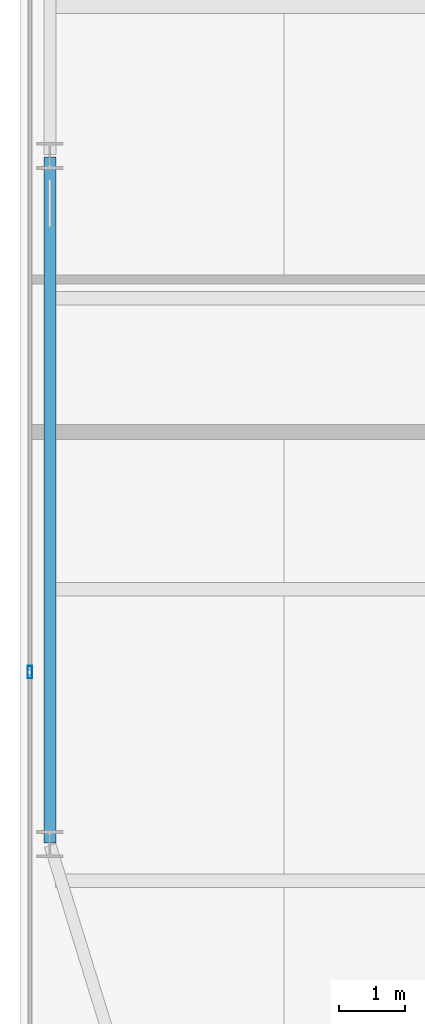
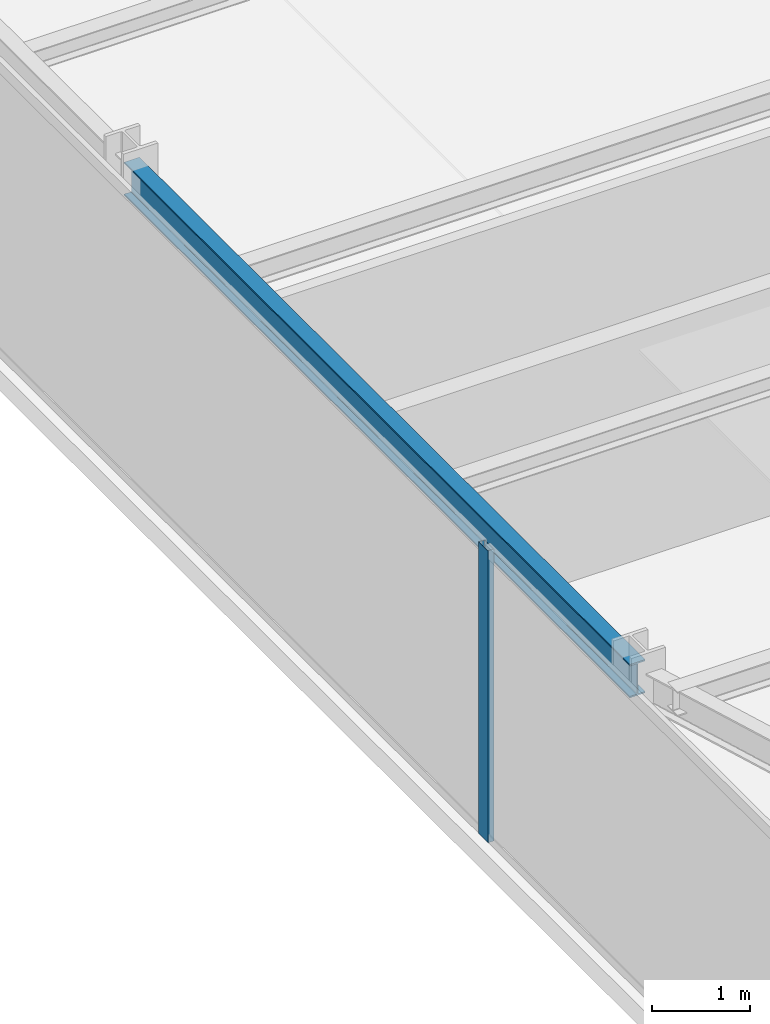
# One storey, part 8 of 31: 1 beam, 1 member, 1 element without a shape of its own.
"""IFC4 building model written with IfcOpenShell, lengths in metres."""

from ifc_helpers import new_model, si_unit, direction, frame, origin, origin_2d, place, context, subcontext, project, spatial, hollow_rectangle, i_section, extrude, source, transform, mapped, material, layer, layer_set, material_profile, profile_set, type_object, type_shapes, element, aggregate, save


model = new_model("IFC4")

# Units and contexts
model_context = context("Model", 3, precision=1e-05, world=origin(), true_north=direction((0.0, 1.0)))
body_context = subcontext(model_context, "Body", "Model", "MODEL_VIEW")
ifc_project = project(units=[si_unit("LENGTHUNIT", "METRE"), si_unit("AREAUNIT", "SQUARE_METRE"), si_unit("VOLUMEUNIT", "CUBIC_METRE"), si_unit("PLANEANGLEUNIT", "RADIAN"), si_unit("MASSUNIT", "GRAM", prefix="KILO")], contexts=[model_context])

# Site, building, storey
site_placement = place(None, origin())
site = spatial("IfcSite", under=ifc_project, at=site_placement, CompositionType="ELEMENT")
building_placement = place(site_placement, origin())
building = spatial("IfcBuilding", under=site, at=building_placement, Name="Varnel Quay Broadcast Tower", CompositionType="ELEMENT")
storey_placement = place(building_placement, frame((0.0, 0.0, 51.0)))
storey = spatial("IfcBuildingStorey", under=building, at=storey_placement, Name="L11", CompositionType="ELEMENT", Elevation=51.0)

# Beam
ifc_material_1 = material(Name="Structural Steel CSA G40.21 350W", Category="steel")
ifc_material_profile_1 = material_profile(ifc_material_1, i_section(OverallWidth=0.180908203125, OverallDepth=0.4169921875, WebThickness=0.010986328125, FlangeThickness=0.018310546875, FilletRadius=0.011962890625, at=origin_2d()), Name="W410X85")
ifc_profile_set_1 = profile_set([ifc_material_profile_1], Name="Structural Steel CSA G40.21 350W")
beam_type = type_object("IfcBeamType", Name="Beam_W410X85", PredefinedType="SPANDREL", material=ifc_profile_set_1)
shared_shape_1 = source(origin(), body_context, "Body", "SweptSolid", [
    extrude(i_section(OverallWidth=0.180908203125, OverallDepth=0.4169921875, WebThickness=0.010986328125, FlangeThickness=0.018310546875, FilletRadius=0.011962890625, at=origin_2d()), origin(), (0.0, 0.0, 1.0), 10.35986328125),
])
type_shapes(beam_type, [shared_shape_1])
beam_placement = place(storey_placement, frame((2.449951171875, 15.02001953125, 3.44140625), z_axis=(0.0, 1.0, 0.0), x_axis=(-1.0, 0.0, 0.0)))
element("IfcBeam", 1, at=beam_placement, inside=storey, type_object=beam_type, Name="L11 West Spandrel TC-W1-TC-W2", PredefinedType="SPANDREL", context=body_context, shape_type="MappedRepresentation", body=[
    mapped(shared_shape_1, transform((0.0, 0.0, 0.0), x_axis=(1.0, 0.0, 0.0), y_axis=(0.0, 1.0, 0.0), z_axis=(0.0, 0.0, 1.0), scale=1.0)),
])

# Curtain wall, member
ifc_material_2 = material(Name="Anodised Bronze Aluminium 6063-T6", Category="aluminium")
ifc_layer = layer(ifc_material_2, 0.18994140625, Name="Anodised Bronze Aluminium 6063-T6")
ifc_layer_set = layer_set([ifc_layer], Name="Anodised Bronze Aluminium 6063-T6")
curtain_wall_type = type_object("IfcCurtainWallType", Name="CW_LowerTower", PredefinedType="NOTDEFINED", material=ifc_layer_set)
curtain_wall_placement = place(storey_placement, origin())
curtain_wall = element("IfcCurtainWall", 2, at=curtain_wall_placement, inside=storey, type_object=curtain_wall_type, Name="L11 West Unitised Curtain Wall", PredefinedType="NOTDEFINED")
ifc_material_profile_2 = material_profile(ifc_material_2, hollow_rectangle(XDim=0.070068359375, YDim=0.18994140625, WallThickness=0.00390625, at=origin_2d()), Name="ALU70X190X4")
ifc_profile_set_2 = profile_set([ifc_material_profile_2], Name="Anodised Bronze Aluminium 6063-T6")
member_type = type_object("IfcMemberType", Name="Mull_CWS-02", PredefinedType="MULLION", material=ifc_profile_set_2)
shared_shape_2 = source(origin(), body_context, "Body", "SweptSolid", [
    extrude(hollow_rectangle(XDim=0.070068359375, YDim=0.18994140625, WallThickness=0.00390625, at=origin_2d()), origin(), (0.0, 0.0, 1.0), 3.64990234375),
])
type_shapes(member_type, [shared_shape_2])
member_placement = place(storey_placement, frame((2.14990234375, 17.60009765625, 0.0), z_axis=(0.0, 0.0, 1.0), x_axis=(-1.0, 0.0, 0.0)))
member = element("IfcMember", 3, at=member_placement, type_object=member_type, Name="CWS-02 mullion 2", PredefinedType="MULLION", context=body_context, shape_type="MappedRepresentation", body=[
    mapped(shared_shape_2, transform((0.0, 0.0, 0.0), x_axis=(1.0, 0.0, 0.0), y_axis=(0.0, 1.0, 0.0), z_axis=(0.0, 0.0, 1.0), scale=1.0)),
])
aggregate(curtain_wall, [member])

save(model, "model.ifc")
